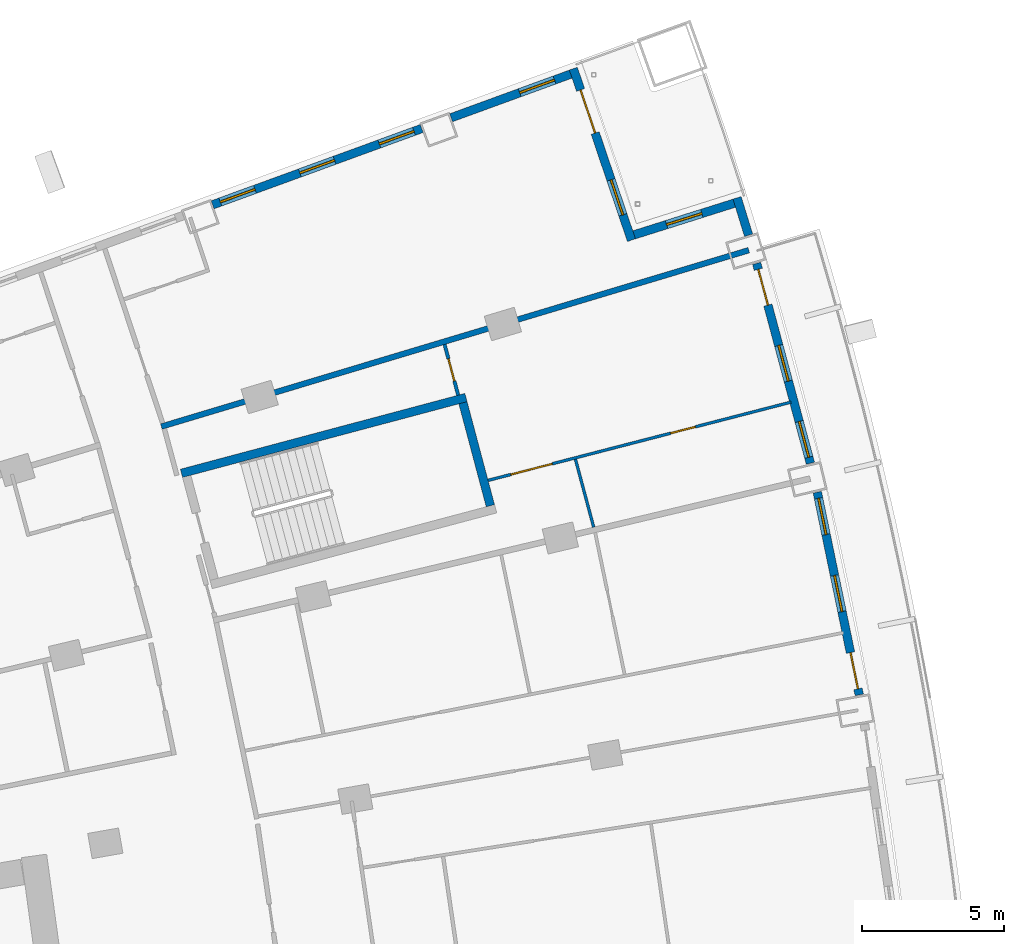
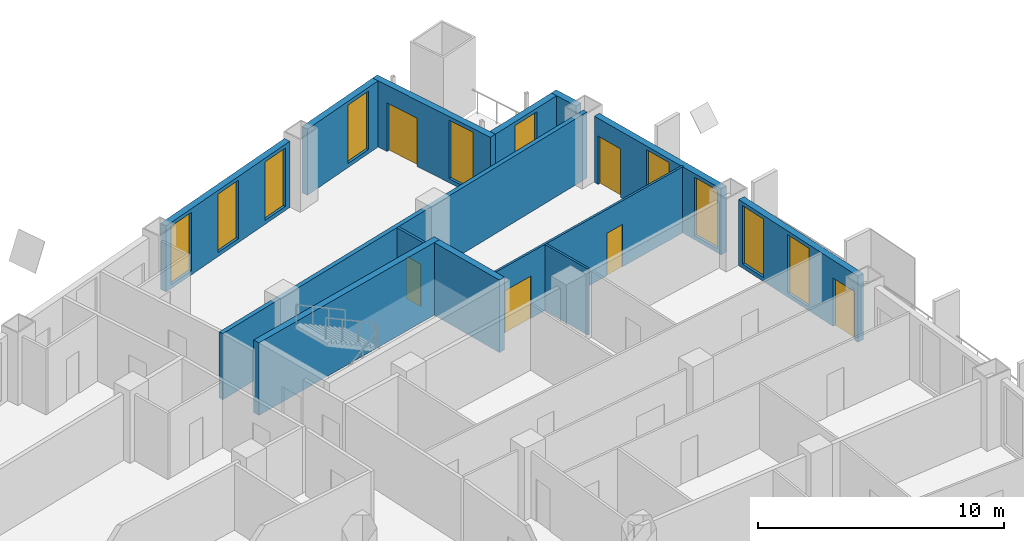
# One storey, part 21 of 25: 13 walls, 10 windows, 6 doors, 16 openings.
"""IFC4 building model written with IfcOpenShell, lengths in metres."""

from ifc_helpers import new_model, si_unit, direction, frame, frame_2d, origin, place, context, subcontext, project, spatial, rectangle, extrude, material, layer, layer_set, type_object, element, fill, save


model = new_model("IFC4")

# Units and contexts
model_context = context("Model", 3, precision=1e-05, world=origin(), true_north=direction((0.0, 1.0)))
body_context = subcontext(model_context, "Body", "Model", "MODEL_VIEW")
ifc_project = project(units=[si_unit("LENGTHUNIT", "METRE"), si_unit("AREAUNIT", "SQUARE_METRE"), si_unit("VOLUMEUNIT", "CUBIC_METRE"), si_unit("PLANEANGLEUNIT", "RADIAN"), si_unit("MASSUNIT", "GRAM", prefix="KILO")], contexts=[model_context])

# Site, building, storey
site_placement = place(None, origin())
site = spatial("IfcSite", under=ifc_project, at=site_placement, CompositionType="ELEMENT")
building_placement = place(site_placement, origin())
building = spatial("IfcBuilding", under=site, at=building_placement, Name="Alderwake Tower", CompositionType="ELEMENT")
storey_placement = place(building_placement, frame((0.0, 0.0, 60.800048828125)))
storey = spatial("IfcBuildingStorey", under=building, at=storey_placement, Name="L14", CompositionType="ELEMENT", Elevation=60.800048828125)

# Walls
ifc_material_1 = material(Name="Concrete C70/85", Category="concrete")
ifc_layer_1 = layer(ifc_material_1, 0.300048828125)
ifc_layer_set_1 = layer_set([ifc_layer_1], Name="Core wall stair enclosure 300 C70-85")
wall_type_1 = type_object("IfcWallType", Name="Core wall stair enclosure 300 C70-85", PredefinedType="SHEAR", material=ifc_layer_set_1)
wall_1_placement = place(storey_placement, frame((36.71142578125, 94.182373046875, 0.0), z_axis=(0.0, 0.0, 1.0), x_axis=(0.966309214305, 0.257383958996, 0.0)))
element("IfcWall", 1, at=wall_1_placement, inside=storey, type_object=wall_type_1, Name="Core wall CW.082", PredefinedType="SHEAR", context=body_context, shape_type="SweptSolid", body=[
    extrude(rectangle(XDim=10.360107421875, YDim=0.300048828125, at=frame_2d((5.18017578125, 0.0))), origin(), (0.0, 0.0, 1.0), 3.599853515625),
])
wall_2_placement = place(storey_placement, frame((47.581298828125, 93.041748046875, 0.0), z_axis=(0.0, 0.0, 1.0), x_axis=(-0.257366821694, 0.966313778796, 0.0)))
element("IfcWall", 2, at=wall_2_placement, inside=storey, type_object=wall_type_1, Name="Core wall CW.081", PredefinedType="SHEAR", context=body_context, shape_type="SweptSolid", body=[
    extrude(rectangle(XDim=3.749755859375, YDim=0.300048828125, at=frame_2d((1.875, 0.0))), origin(), (0.0, 0.0, 1.0), 3.599853515625),
])

# Wall, openings, door, windows
ifc_material_2 = material(Name="Precast concrete C50/60 spandrel panel", Category="concrete")
ifc_layer_2 = layer(ifc_material_2, 0.300048828125)
ifc_layer_set_2 = layer_set([ifc_layer_2], Name="External wall EW1 Precast concrete C50/60 spandrel")
wall_type_2 = type_object("IfcWallType", Name="External wall EW1 Precast concrete C50/60 spandrel", PredefinedType="SOLIDWALL", material=ifc_layer_set_2)
wall_3_placement = place(storey_placement, frame((60.561767578125, 86.385009765625, 0.0), z_axis=(0.0, 0.0, 1.0), x_axis=(-0.202751929138, 0.979230133948, 0.0)))
wall_3 = element("IfcWall", 3, at=wall_3_placement, inside=storey, type_object=wall_type_2, Name="External wall 20", PredefinedType="SOLIDWALL", context=body_context, shape_type="SweptSolid", body=[
    extrude(rectangle(XDim=7.28271484375, YDim=0.300048828125, at=frame_2d((3.641357421875, 0.0))), origin(), (0.0, 0.0, 1.0), 3.280029296875),
])
opening_1_placement = place(wall_3_placement, frame((0.218994140625, 0.0, 0.0)))
opening_1 = element("IfcOpeningElement", 4, at=opening_1_placement, cuts=wall_3, Name="Opening D10", PredefinedType="OPENING", context=body_context, shape_type="SweptSolid", body=[
    extrude(rectangle(XDim=1.300048828125, YDim=2.39990234375, at=frame_2d((0.64990234375, 1.199951171875))), frame((0.0, 0.159912109375, 0.0), z_axis=(0.0, -1.0, 0.0), x_axis=(1.0, 0.0, 0.0)), (0.0, 0.0, 1.0), 0.320068359375),
])
opening_2_placement = place(wall_3_placement, frame((2.9912109375, 0.0, 0.199951171875)))
opening_2 = element("IfcOpeningElement", 5, at=opening_2_placement, cuts=wall_3, Name="Opening W1", PredefinedType="OPENING", context=body_context, shape_type="SweptSolid", body=[
    extrude(rectangle(XDim=1.300048828125, YDim=2.89990234375, at=frame_2d((0.64990234375, 1.449951171875))), frame((0.0, 0.159912109375, 0.0), z_axis=(0.0, -1.0, 0.0), x_axis=(1.0, 0.0, 0.0)), (0.0, 0.0, 1.0), 0.320068359375),
])
opening_3_placement = place(wall_3_placement, frame((5.763671875, 0.0, 0.199951171875)))
opening_3 = element("IfcOpeningElement", 6, at=opening_3_placement, cuts=wall_3, Name="Opening W1", PredefinedType="OPENING", context=body_context, shape_type="SweptSolid", body=[
    extrude(rectangle(XDim=1.300048828125, YDim=2.89990234375, at=frame_2d((0.64990234375, 1.449951171875))), frame((0.0, 0.159912109375, 0.0), z_axis=(0.0, -1.0, 0.0), x_axis=(1.0, 0.0, 0.0)), (0.0, 0.0, 1.0), 0.320068359375),
])
ifc_material_3 = material(Name="Bronze tinted glass in aluminium frame", Category="aluminium")
door_type_1 = type_object("IfcDoorType", Name="Balcony door BD sliding", OperationType="SLIDING_TO_LEFT", PredefinedType="DOOR", material=ifc_material_3)
door_1_placement = place(opening_1_placement, origin())
door_1 = element("IfcDoor", 7, at=door_1_placement, inside=storey, type_object=door_type_1, Name="Door D10", OperationType="SLIDING_TO_LEFT", OverallHeight=2.39990234375, OverallWidth=1.300048828125, PredefinedType="DOOR", context=body_context, shape_type="SweptSolid", body=[
    extrude(rectangle(XDim=1.300048828125, YDim=2.39990234375, at=frame_2d((0.64990234375, 1.199951171875))), frame((0.0, 0.02490234375, 0.0), z_axis=(0.0, -1.0, 0.0), x_axis=(1.0, 0.0, 0.0)), (0.0, 0.0, 1.0), 0.050048828125),
])
fill(opening_1, door_1)
ifc_material_4 = material(Name="Bronze tinted glass in aluminium frame", Category="aluminium")
window_type = type_object("IfcWindowType", Name="Window W1 tall fixed and vent", PartitioningType="DOUBLE_PANEL_VERTICAL", PredefinedType="WINDOW", material=ifc_material_4)
window_1_placement = place(opening_2_placement, origin())
window_1 = element("IfcWindow", 8, at=window_1_placement, inside=storey, type_object=window_type, Name="Window W1 tall fixed and vent", OverallHeight=2.89990234375, OverallWidth=1.300048828125, PartitioningType="DOUBLE_PANEL_VERTICAL", PredefinedType="WINDOW", context=body_context, shape_type="SweptSolid", body=[
    extrude(rectangle(XDim=1.300048828125, YDim=2.89990234375, at=frame_2d((0.64990234375, 1.449951171875))), frame((0.0, 0.030029296875, 0.0), z_axis=(0.0, -1.0, 0.0), x_axis=(1.0, 0.0, 0.0)), (0.0, 0.0, 1.0), 0.06005859375),
])
fill(opening_2, window_1)
window_2_placement = place(opening_3_placement, origin())
window_2 = element("IfcWindow", 9, at=window_2_placement, inside=storey, type_object=window_type, Name="Window W1 tall fixed and vent", OverallHeight=2.89990234375, OverallWidth=1.300048828125, PartitioningType="DOUBLE_PANEL_VERTICAL", PredefinedType="WINDOW", context=body_context, shape_type="SweptSolid", body=[
    extrude(rectangle(XDim=1.300048828125, YDim=2.89990234375, at=frame_2d((0.64990234375, 1.449951171875))), frame((0.0, 0.030029296875, 0.0), z_axis=(0.0, -1.0, 0.0), x_axis=(1.0, 0.0, 0.0)), (0.0, 0.0, 1.0), 0.06005859375),
])
fill(opening_3, window_2)

wall_4_placement = place(storey_placement, frame((58.8427734375, 94.53662109375, 0.0), z_axis=(0.0, 0.0, 1.0), x_axis=(-0.259504577704, 0.9657418776, 0.0)))
wall_4 = element("IfcWall", 10, at=wall_4_placement, inside=storey, type_object=wall_type_2, Name="External wall 21", PredefinedType="SOLIDWALL", context=body_context, shape_type="SweptSolid", body=[
    extrude(rectangle(XDim=7.28271484375, YDim=0.300048828125, at=frame_2d((3.641357421875, 0.0))), origin(), (0.0, 0.0, 1.0), 3.280029296875),
])
opening_4_placement = place(wall_4_placement, frame((0.218994140625, 0.0, 0.199951171875)))
opening_4 = element("IfcOpeningElement", 11, at=opening_4_placement, cuts=wall_4, Name="Opening W1", PredefinedType="OPENING", context=body_context, shape_type="SweptSolid", body=[
    extrude(rectangle(XDim=1.300048828125, YDim=2.89990234375, at=frame_2d((0.64990234375, 1.449951171875))), frame((0.0, 0.159912109375, 0.0), z_axis=(0.0, -1.0, 0.0), x_axis=(1.0, 0.0, 0.0)), (0.0, 0.0, 1.0), 0.320068359375),
])
opening_5_placement = place(wall_4_placement, frame((2.9912109375, 0.0, 0.199951171875)))
opening_5 = element("IfcOpeningElement", 12, at=opening_5_placement, cuts=wall_4, Name="Opening W1", PredefinedType="OPENING", context=body_context, shape_type="SweptSolid", body=[
    extrude(rectangle(XDim=1.300048828125, YDim=2.89990234375, at=frame_2d((0.64990234375, 1.449951171875))), frame((0.0, 0.159912109375, 0.0), z_axis=(0.0, -1.0, 0.0), x_axis=(1.0, 0.0, 0.0)), (0.0, 0.0, 1.0), 0.320068359375),
])
opening_6_placement = place(wall_4_placement, frame((5.763671875, 0.0, 0.0)))
opening_6 = element("IfcOpeningElement", 13, at=opening_6_placement, cuts=wall_4, Name="Opening D11", PredefinedType="OPENING", context=body_context, shape_type="SweptSolid", body=[
    extrude(rectangle(XDim=1.300048828125, YDim=2.39990234375, at=frame_2d((0.64990234375, 1.199951171875))), frame((0.0, 0.159912109375, 0.0), z_axis=(0.0, -1.0, 0.0), x_axis=(1.0, 0.0, 0.0)), (0.0, 0.0, 1.0), 0.320068359375),
])
door_2_placement = place(opening_6_placement, origin())
door_2 = element("IfcDoor", 14, at=door_2_placement, inside=storey, type_object=door_type_1, Name="Door D11", OperationType="SLIDING_TO_LEFT", OverallHeight=2.39990234375, OverallWidth=1.300048828125, PredefinedType="DOOR", context=body_context, shape_type="SweptSolid", body=[
    extrude(rectangle(XDim=1.300048828125, YDim=2.39990234375, at=frame_2d((0.64990234375, 1.199951171875))), frame((0.0, 0.02490234375, 0.0), z_axis=(0.0, -1.0, 0.0), x_axis=(1.0, 0.0, 0.0)), (0.0, 0.0, 1.0), 0.050048828125),
])
fill(opening_6, door_2)
window_3_placement = place(opening_4_placement, origin())
window_3 = element("IfcWindow", 15, at=window_3_placement, inside=storey, type_object=window_type, Name="Window W1 tall fixed and vent", OverallHeight=2.89990234375, OverallWidth=1.300048828125, PartitioningType="DOUBLE_PANEL_VERTICAL", PredefinedType="WINDOW", context=body_context, shape_type="SweptSolid", body=[
    extrude(rectangle(XDim=1.300048828125, YDim=2.89990234375, at=frame_2d((0.64990234375, 1.449951171875))), frame((0.0, 0.030029296875, 0.0), z_axis=(0.0, -1.0, 0.0), x_axis=(1.0, 0.0, 0.0)), (0.0, 0.0, 1.0), 0.06005859375),
])
fill(opening_4, window_3)
window_4_placement = place(opening_5_placement, origin())
window_4 = element("IfcWindow", 16, at=window_4_placement, inside=storey, type_object=window_type, Name="Window W1 tall fixed and vent", OverallHeight=2.89990234375, OverallWidth=1.300048828125, PartitioningType="DOUBLE_PANEL_VERTICAL", PredefinedType="WINDOW", context=body_context, shape_type="SweptSolid", body=[
    extrude(rectangle(XDim=1.300048828125, YDim=2.89990234375, at=frame_2d((0.64990234375, 1.449951171875))), frame((0.0, 0.030029296875, 0.0), z_axis=(0.0, -1.0, 0.0), x_axis=(1.0, 0.0, 0.0)), (0.0, 0.0, 1.0), 0.06005859375),
])
fill(opening_5, window_4)

# Wall
wall_5_placement = place(storey_placement, frame((56.667724609375, 102.56005859375, 0.0), z_axis=(0.0, 0.0, 1.0), x_axis=(-0.294496968281, 0.955652413628, 0.0)))
element("IfcWall", 17, at=wall_5_placement, inside=storey, type_object=wall_type_2, Name="External wall 22", PredefinedType="SOLIDWALL", context=body_context, shape_type="SweptSolid", body=[
    extrude(rectangle(XDim=1.376953125, YDim=0.300048828125, at=frame_2d((0.6884765625, 0.0))), origin(), (0.0, 0.0, 1.0), 3.280029296875),
])

# Wall, opening, window
ifc_material_5 = material(Name="Bronze metal cladding on lightweight framing")
ifc_layer_3 = layer(ifc_material_5, 0.300048828125)
ifc_layer_set_3 = layer_set([ifc_layer_3], Name="External wall EW2 bronze metal cladding")
wall_type_3 = type_object("IfcWallType", Name="External wall EW2 bronze metal cladding", PredefinedType="SOLIDWALL", material=ifc_layer_set_3)
wall_6_placement = place(storey_placement, frame((56.163330078125, 103.6875, 0.0), z_axis=(0.0, 0.0, 1.0), x_axis=(-0.953466730622, -0.301498248083, 0.0)))
wall_6 = element("IfcWall", 18, at=wall_6_placement, inside=storey, type_object=wall_type_3, Name="External wall 23", PredefinedType="SOLIDWALL", context=body_context, shape_type="SweptSolid", body=[
    extrude(rectangle(XDim=3.694091796875, YDim=0.300048828125, at=frame_2d((1.84716796875, 0.0))), origin(), (0.0, 0.0, 1.0), 3.280029296875),
])
opening_7_placement = place(wall_6_placement, frame((1.197021484375, 0.0, 0.199951171875)))
opening_7 = element("IfcOpeningElement", 19, at=opening_7_placement, cuts=wall_6, Name="Opening W1", PredefinedType="OPENING", context=body_context, shape_type="SweptSolid", body=[
    extrude(rectangle(XDim=1.300048828125, YDim=2.89990234375, at=frame_2d((0.64990234375, 1.449951171875))), frame((0.0, 0.159912109375, 0.0), z_axis=(0.0, -1.0, 0.0), x_axis=(1.0, 0.0, 0.0)), (0.0, 0.0, 1.0), 0.320068359375),
])
window_5_placement = place(opening_7_placement, origin())
window_5 = element("IfcWindow", 20, at=window_5_placement, inside=storey, type_object=window_type, Name="Window W1 tall fixed and vent", OverallHeight=2.89990234375, OverallWidth=1.300048828125, PartitioningType="DOUBLE_PANEL_VERTICAL", PredefinedType="WINDOW", context=body_context, shape_type="SweptSolid", body=[
    extrude(rectangle(XDim=1.300048828125, YDim=2.89990234375, at=frame_2d((0.64990234375, 1.449951171875))), frame((0.0, 0.030029296875, 0.0), z_axis=(0.0, -1.0, 0.0), x_axis=(1.0, 0.0, 0.0)), (0.0, 0.0, 1.0), 0.06005859375),
])
fill(opening_7, window_5)

# Wall, openings, door, window
wall_7_placement = place(storey_placement, frame((52.546142578125, 102.386474609375, 0.0), z_axis=(0.0, 0.0, 1.0), x_axis=(-0.320935050744, 0.947101205365, 0.0)))
wall_7 = element("IfcWall", 21, at=wall_7_placement, inside=storey, type_object=wall_type_3, Name="External wall 24", PredefinedType="SOLIDWALL", context=body_context, shape_type="SweptSolid", body=[
    extrude(rectangle(XDim=6.3740234375, YDim=0.300048828125, at=frame_2d((3.18701171875, 0.0))), origin(), (0.0, 0.0, 1.0), 3.280029296875),
])
opening_8_placement = place(wall_7_placement, frame((0.943603515625, 0.0, 0.199951171875)))
opening_8 = element("IfcOpeningElement", 22, at=opening_8_placement, cuts=wall_7, Name="Opening W1", PredefinedType="OPENING", context=body_context, shape_type="SweptSolid", body=[
    extrude(rectangle(XDim=1.300048828125, YDim=2.89990234375, at=frame_2d((0.64990234375, 1.449951171875))), frame((0.0, 0.159912109375, 0.0), z_axis=(0.0, -1.0, 0.0), x_axis=(1.0, 0.0, 0.0)), (0.0, 0.0, 1.0), 0.320068359375),
])
opening_9_placement = place(wall_7_placement, frame((3.980712890625, 0.0, 0.0)))
opening_9 = element("IfcOpeningElement", 23, at=opening_9_placement, cuts=wall_7, Name="Opening D12", PredefinedType="OPENING", context=body_context, shape_type="SweptSolid", body=[
    extrude(rectangle(XDim=1.60009765625, YDim=2.39990234375, at=frame_2d((0.800048828125, 1.199951171875))), frame((0.0, 0.159912109375, 0.0), z_axis=(0.0, -1.0, 0.0), x_axis=(1.0, 0.0, 0.0)), (0.0, 0.0, 1.0), 0.320068359375),
])
ifc_material_6 = material(Name="Bronze tinted glass in aluminium frame", Category="aluminium")
door_type_2 = type_object("IfcDoorType", Name="Terrace door TD sliding", OperationType="SLIDING_TO_LEFT", PredefinedType="DOOR", material=ifc_material_6)
door_3_placement = place(opening_9_placement, origin())
door_3 = element("IfcDoor", 24, at=door_3_placement, inside=storey, type_object=door_type_2, Name="Door D12", OperationType="SLIDING_TO_LEFT", OverallHeight=2.39990234375, OverallWidth=1.60009765625, PredefinedType="DOOR", context=body_context, shape_type="SweptSolid", body=[
    extrude(rectangle(XDim=1.60009765625, YDim=2.39990234375, at=frame_2d((0.800048828125, 1.199951171875))), frame((0.0, 0.02490234375, 0.0), z_axis=(0.0, -1.0, 0.0), x_axis=(1.0, 0.0, 0.0)), (0.0, 0.0, 1.0), 0.050048828125),
])
fill(opening_9, door_3)
window_6_placement = place(opening_8_placement, origin())
window_6 = element("IfcWindow", 25, at=window_6_placement, inside=storey, type_object=window_type, Name="Window W1 tall fixed and vent", OverallHeight=2.89990234375, OverallWidth=1.300048828125, PartitioningType="DOUBLE_PANEL_VERTICAL", PredefinedType="WINDOW", context=body_context, shape_type="SweptSolid", body=[
    extrude(rectangle(XDim=1.300048828125, YDim=2.89990234375, at=frame_2d((0.64990234375, 1.449951171875))), frame((0.0, 0.030029296875, 0.0), z_axis=(0.0, -1.0, 0.0), x_axis=(1.0, 0.0, 0.0)), (0.0, 0.0, 1.0), 0.06005859375),
])
fill(opening_8, window_6)

# Wall, opening, window
wall_8_placement = place(storey_placement, frame((50.407958984375, 108.22998046875, 0.0), z_axis=(0.0, 0.0, 1.0), x_axis=(-0.939377384623, -0.3428850088, 0.0)))
wall_8 = element("IfcWall", 26, at=wall_8_placement, inside=storey, type_object=wall_type_3, Name="External wall 25", PredefinedType="SOLIDWALL", context=body_context, shape_type="SweptSolid", body=[
    extrude(rectangle(XDim=4.479248046875, YDim=0.300048828125, at=frame_2d((2.23974609375, 0.0))), origin(), (0.0, 0.0, 1.0), 3.280029296875),
])
opening_10_placement = place(wall_8_placement, frame((0.60791015625, 0.0, 0.199951171875)))
opening_10 = element("IfcOpeningElement", 27, at=opening_10_placement, cuts=wall_8, Name="Opening W1", PredefinedType="OPENING", context=body_context, shape_type="SweptSolid", body=[
    extrude(rectangle(XDim=1.300048828125, YDim=2.89990234375, at=frame_2d((0.64990234375, 1.449951171875))), frame((0.0, 0.159912109375, 0.0), z_axis=(0.0, -1.0, 0.0), x_axis=(1.0, 0.0, 0.0)), (0.0, 0.0, 1.0), 0.320068359375),
])
window_7_placement = place(opening_10_placement, origin())
window_7 = element("IfcWindow", 28, at=window_7_placement, inside=storey, type_object=window_type, Name="Window W1 tall fixed and vent", OverallHeight=2.89990234375, OverallWidth=1.300048828125, PartitioningType="DOUBLE_PANEL_VERTICAL", PredefinedType="WINDOW", context=body_context, shape_type="SweptSolid", body=[
    extrude(rectangle(XDim=1.300048828125, YDim=2.89990234375, at=frame_2d((0.64990234375, 1.449951171875))), frame((0.0, 0.030029296875, 0.0), z_axis=(0.0, -1.0, 0.0), x_axis=(1.0, 0.0, 0.0)), (0.0, 0.0, 1.0), 0.06005859375),
])
fill(opening_10, window_7)

# Wall, openings, windows
wall_9_placement = place(storey_placement, frame((45.1630859375, 106.3154296875, 0.0), z_axis=(0.0, 0.0, 1.0), x_axis=(-0.939377568192, -0.342884505887, 0.0)))
wall_9 = element("IfcWall", 29, at=wall_9_placement, inside=storey, type_object=wall_type_3, Name="External wall 26", PredefinedType="SOLIDWALL", context=body_context, shape_type="SweptSolid", body=[
    extrude(rectangle(XDim=7.829345703125, YDim=0.300048828125, at=frame_2d((3.91455078125, 0.0))), origin(), (0.0, 0.0, 1.0), 3.280029296875),
])
opening_11_placement = place(wall_9_placement, frame((0.286865234375, 0.0, 0.199951171875)))
opening_11 = element("IfcOpeningElement", 30, at=opening_11_placement, cuts=wall_9, Name="Opening W1", PredefinedType="OPENING", context=body_context, shape_type="SweptSolid", body=[
    extrude(rectangle(XDim=1.300048828125, YDim=2.89990234375, at=frame_2d((0.64990234375, 1.449951171875))), frame((0.0, 0.159912109375, 0.0), z_axis=(0.0, -1.0, 0.0), x_axis=(1.0, 0.0, 0.0)), (0.0, 0.0, 1.0), 0.320068359375),
])
opening_12_placement = place(wall_9_placement, frame((3.2646484375, 0.0, 0.199951171875)))
opening_12 = element("IfcOpeningElement", 31, at=opening_12_placement, cuts=wall_9, Name="Opening W1", PredefinedType="OPENING", context=body_context, shape_type="SweptSolid", body=[
    extrude(rectangle(XDim=1.300048828125, YDim=2.89990234375, at=frame_2d((0.64990234375, 1.449951171875))), frame((0.0, 0.159912109375, 0.0), z_axis=(0.0, -1.0, 0.0), x_axis=(1.0, 0.0, 0.0)), (0.0, 0.0, 1.0), 0.320068359375),
])
opening_13_placement = place(wall_9_placement, frame((6.24267578125, 0.0, 0.199951171875)))
opening_13 = element("IfcOpeningElement", 32, at=opening_13_placement, cuts=wall_9, Name="Opening W1", PredefinedType="OPENING", context=body_context, shape_type="SweptSolid", body=[
    extrude(rectangle(XDim=1.300048828125, YDim=2.89990234375, at=frame_2d((0.64990234375, 1.449951171875))), frame((0.0, 0.159912109375, 0.0), z_axis=(0.0, -1.0, 0.0), x_axis=(1.0, 0.0, 0.0)), (0.0, 0.0, 1.0), 0.320068359375),
])
window_8_placement = place(opening_11_placement, origin())
window_8 = element("IfcWindow", 33, at=window_8_placement, inside=storey, type_object=window_type, Name="Window W1 tall fixed and vent", OverallHeight=2.89990234375, OverallWidth=1.300048828125, PartitioningType="DOUBLE_PANEL_VERTICAL", PredefinedType="WINDOW", context=body_context, shape_type="SweptSolid", body=[
    extrude(rectangle(XDim=1.300048828125, YDim=2.89990234375, at=frame_2d((0.64990234375, 1.449951171875))), frame((0.0, 0.030029296875, 0.0), z_axis=(0.0, -1.0, 0.0), x_axis=(1.0, 0.0, 0.0)), (0.0, 0.0, 1.0), 0.06005859375),
])
fill(opening_11, window_8)
window_9_placement = place(opening_12_placement, origin())
window_9 = element("IfcWindow", 34, at=window_9_placement, inside=storey, type_object=window_type, Name="Window W1 tall fixed and vent", OverallHeight=2.89990234375, OverallWidth=1.300048828125, PartitioningType="DOUBLE_PANEL_VERTICAL", PredefinedType="WINDOW", context=body_context, shape_type="SweptSolid", body=[
    extrude(rectangle(XDim=1.300048828125, YDim=2.89990234375, at=frame_2d((0.64990234375, 1.449951171875))), frame((0.0, 0.030029296875, 0.0), z_axis=(0.0, -1.0, 0.0), x_axis=(1.0, 0.0, 0.0)), (0.0, 0.0, 1.0), 0.06005859375),
])
fill(opening_12, window_9)
window_10_placement = place(opening_13_placement, origin())
window_10 = element("IfcWindow", 35, at=window_10_placement, inside=storey, type_object=window_type, Name="Window W1 tall fixed and vent", OverallHeight=2.89990234375, OverallWidth=1.300048828125, PartitioningType="DOUBLE_PANEL_VERTICAL", PredefinedType="WINDOW", context=body_context, shape_type="SweptSolid", body=[
    extrude(rectangle(XDim=1.300048828125, YDim=2.89990234375, at=frame_2d((0.64990234375, 1.449951171875))), frame((0.0, 0.030029296875, 0.0), z_axis=(0.0, -1.0, 0.0), x_axis=(1.0, 0.0, 0.0)), (0.0, 0.0, 1.0), 0.06005859375),
])
fill(opening_13, window_10)

# Wall
ifc_material_7 = material(Name="Dense block masonry wall", Category="masonry")
ifc_layer_4 = layer(ifc_material_7, 0.199951171875)
ifc_layer_set_4 = layer_set([ifc_layer_4], Name="Party wall 200")
wall_type_4 = type_object("IfcWallType", Name="Party wall 200", PredefinedType="SOLIDWALL", material=ifc_layer_set_4)
wall_10_placement = place(storey_placement, frame((56.673095703125, 102.032958984375, 0.0), z_axis=(0.0, 0.0, 1.0), x_axis=(-0.957756821729, -0.287579328936, 0.0)))
element("IfcWall", 36, at=wall_10_placement, inside=storey, type_object=wall_type_4, Name="WL/L14/W08", PredefinedType="SOLIDWALL", context=body_context, shape_type="SweptSolid", body=[
    extrude(rectangle(XDim=21.580322265625, YDim=0.199951171875, at=frame_2d((10.7900390625, 0.0))), origin(), (0.0, 0.0, 1.0), 3.280029296875),
])

# Wall, openings, doors
ifc_material_8 = material(Name="Gypsum board on metal studs")
ifc_layer_5 = layer(ifc_material_8, 0.10009765625)
ifc_layer_set_5 = layer_set([ifc_layer_5], Name="Unit partition 100")
wall_type_5 = type_object("IfcWallType", Name="Unit partition 100", PredefinedType="PARTITIONING", material=ifc_layer_set_5)
wall_11_placement = place(storey_placement, frame((47.4990234375, 93.93310546875, 0.0), z_axis=(0.0, 0.0, 1.0), x_axis=(0.968223312378, 0.250087219519, 0.0)))
wall_11 = element("IfcWall", 37, at=wall_11_placement, inside=storey, type_object=wall_type_5, Name="WL/L14/W76", PredefinedType="PARTITIONING", context=body_context, shape_type="SweptSolid", body=[
    extrude(rectangle(XDim=11.01171875, YDim=0.10009765625, at=frame_2d((5.505859375, 0.0))), origin(), (0.0, 0.0, 1.0), 3.280029296875),
])
opening_14_placement = place(wall_11_placement, frame((0.831787109375, 0.0, 0.0)))
opening_14 = element("IfcOpeningElement", 38, at=opening_14_placement, cuts=wall_11, Name="Opening R03-U02.2", PredefinedType="OPENING", context=body_context, shape_type="SweptSolid", body=[
    extrude(rectangle(XDim=1.5, YDim=2.10009765625, at=frame_2d((0.75, 1.050048828125))), frame((0.0, 0.06005859375, 0.0), z_axis=(0.0, -1.0, 0.0), x_axis=(1.0, 0.0, 0.0)), (0.0, 0.0, 1.0), 0.1201171875),
])
opening_15_placement = place(wall_11_placement, frame((6.6376953125, 0.0, 0.0)))
opening_15 = element("IfcOpeningElement", 39, at=opening_15_placement, cuts=wall_11, Name="Opening R03-U02.3", PredefinedType="OPENING", context=body_context, shape_type="SweptSolid", body=[
    extrude(rectangle(XDim=0.89990234375, YDim=2.10009765625, at=frame_2d((0.449951171875, 1.050048828125))), frame((0.0, 0.06005859375, 0.0), z_axis=(0.0, -1.0, 0.0), x_axis=(1.0, 0.0, 0.0)), (0.0, 0.0, 1.0), 0.1201171875),
])
ifc_material_9 = material(Name="Painted timber leaves", Category="wood")
door_type_3 = type_object("IfcDoorType", Name="Double leaf door 1500", OperationType="DOUBLE_DOOR_SINGLE_SWING", PredefinedType="DOOR", material=ifc_material_9)
door_4_placement = place(opening_14_placement, origin())
door_4 = element("IfcDoor", 40, at=door_4_placement, inside=storey, type_object=door_type_3, Name="DR/L14/U02.2", OperationType="DOUBLE_DOOR_SINGLE_SWING", OverallHeight=2.10009765625, OverallWidth=1.5, PredefinedType="DOOR", context=body_context, shape_type="SweptSolid", body=[
    extrude(rectangle(XDim=1.5, YDim=2.10009765625, at=frame_2d((0.75, 1.050048828125))), frame((0.0, 0.02490234375, 0.0), z_axis=(0.0, -1.0, 0.0), x_axis=(1.0, 0.0, 0.0)), (0.0, 0.0, 1.0), 0.050048828125),
])
fill(opening_14, door_4)
ifc_material_10 = material(Name="Painted timber leaf", Category="wood")
door_type_4 = type_object("IfcDoorType", Name="Room door 900", OperationType="SINGLE_SWING_LEFT", PredefinedType="DOOR", material=ifc_material_10)
door_5_placement = place(opening_15_placement, origin())
door_5 = element("IfcDoor", 41, at=door_5_placement, inside=storey, type_object=door_type_4, Name="DR/L14/U02.3", OperationType="SINGLE_SWING_LEFT", OverallHeight=2.10009765625, OverallWidth=0.89990234375, PredefinedType="DOOR", context=body_context, shape_type="SweptSolid", body=[
    extrude(rectangle(XDim=0.89990234375, YDim=2.10009765625, at=frame_2d((0.449951171875, 1.050048828125))), frame((0.0, 0.02490234375, 0.0), z_axis=(0.0, -1.0, 0.0), x_axis=(1.0, 0.0, 0.0)), (0.0, 0.0, 1.0), 0.050048828125),
])
fill(opening_15, door_5)

# Wall
wall_12_placement = place(storey_placement, frame((51.217041015625, 92.28662109375, 0.0), z_axis=(0.0, 0.0, 1.0), x_axis=(-0.259442778972, 0.965758481422, 0.0)))
element("IfcWall", 42, at=wall_12_placement, inside=storey, type_object=wall_type_5, Name="WL/L14/W82", PredefinedType="PARTITIONING", context=body_context, shape_type="SweptSolid", body=[
    extrude(rectangle(XDim=2.474853515625, YDim=0.10009765625, at=frame_2d((1.2373046875, 0.0))), origin(), (0.0, 0.0, 1.0), 3.280029296875),
])

# Wall, opening, door
ifc_material_11 = material(Name="Moisture resistant gypsum board on metal studs")
ifc_layer_6 = layer(ifc_material_11, 0.1201171875)
ifc_layer_set_6 = layer_set([ifc_layer_6], Name="Wet room partition 120")
wall_type_6 = type_object("IfcWallType", Name="Wet room partition 120", PredefinedType="PARTITIONING", material=ifc_layer_set_6)
wall_13_placement = place(storey_placement, frame((46.448974609375, 96.929931640625, 0.0), z_axis=(0.0, 0.0, 1.0), x_axis=(-0.258764710752, 0.965940383497, 0.0)))
wall_13 = element("IfcWall", 43, at=wall_13_placement, inside=storey, type_object=wall_type_6, Name="WL/L14/W59", PredefinedType="PARTITIONING", context=body_context, shape_type="SweptSolid", body=[
    extrude(rectangle(XDim=1.847412109375, YDim=0.1201171875, at=frame_2d((0.923828125, 0.0))), origin(), (0.0, 0.0, 1.0), 3.280029296875),
])
opening_16_placement = place(wall_13_placement, frame((0.524169921875, 0.0, 0.0)))
opening_16 = element("IfcOpeningElement", 44, at=opening_16_placement, cuts=wall_13, Name="Opening R03-U02.4", PredefinedType="OPENING", context=body_context, shape_type="SweptSolid", body=[
    extrude(rectangle(XDim=0.800048828125, YDim=2.10009765625, at=frame_2d((0.39990234375, 1.050048828125))), frame((0.0, 0.070068359375, 0.0), z_axis=(0.0, -1.0, 0.0), x_axis=(1.0, 0.0, 0.0)), (0.0, 0.0, 1.0), 0.14013671875),
])
ifc_material_12 = material(Name="Painted timber leaf", Category="wood")
door_type_5 = type_object("IfcDoorType", Name="Bathroom door 800", OperationType="SINGLE_SWING_LEFT", PredefinedType="DOOR", material=ifc_material_12)
door_6_placement = place(opening_16_placement, origin())
door_6 = element("IfcDoor", 45, at=door_6_placement, inside=storey, type_object=door_type_5, Name="DR/L14/U02.4", OperationType="SINGLE_SWING_LEFT", OverallHeight=2.10009765625, OverallWidth=0.800048828125, PredefinedType="DOOR", context=body_context, shape_type="SweptSolid", body=[
    extrude(rectangle(XDim=0.800048828125, YDim=2.10009765625, at=frame_2d((0.39990234375, 1.050048828125))), frame((0.0, 0.02490234375, 0.0), z_axis=(0.0, -1.0, 0.0), x_axis=(1.0, 0.0, 0.0)), (0.0, 0.0, 1.0), 0.050048828125),
])
fill(opening_16, door_6)

save(model, "model.ifc")
